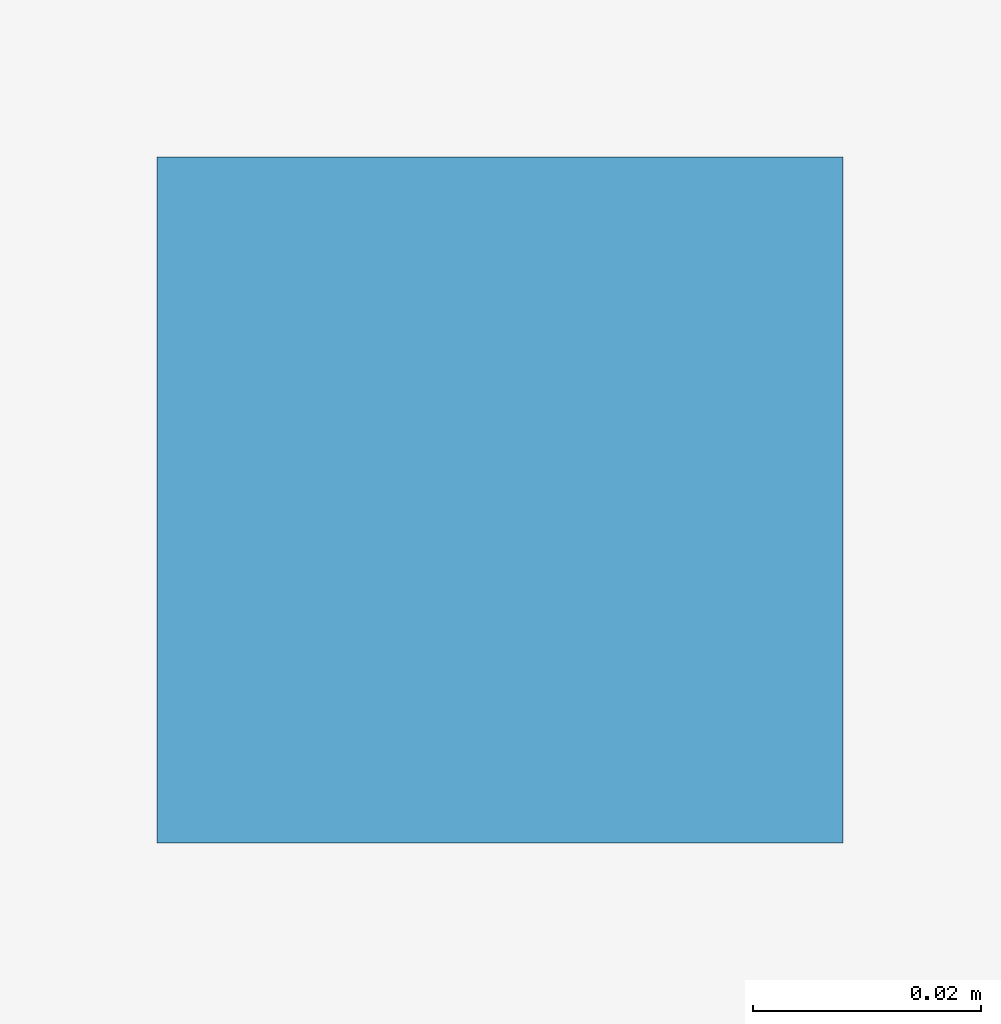
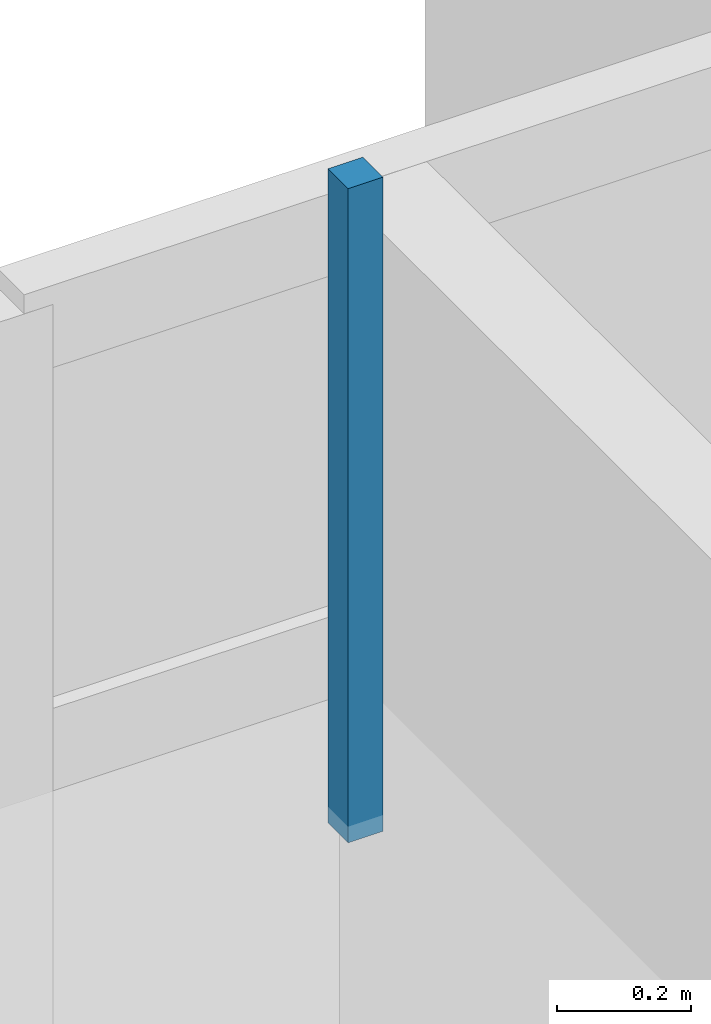
# One storey, part 88 of 107: 1 discrete accessory.
"""IFC4 building model written with IfcOpenShell, lengths in metres."""

from ifc_helpers import new_model, si_unit, direction, frame, origin, place, context, subcontext, project, spatial, polyline, outline, extrude, material, type_object, element, save


model = new_model("IFC4")

# Units and contexts
model_context = context("Model", 3, precision=1e-05, world=origin(), true_north=direction((0.0, 1.0)))
body_context = subcontext(model_context, "Body", "Model", "MODEL_VIEW")
ifc_project = project(units=[si_unit("LENGTHUNIT", "METRE"), si_unit("AREAUNIT", "SQUARE_METRE"), si_unit("VOLUMEUNIT", "CUBIC_METRE"), si_unit("PLANEANGLEUNIT", "RADIAN"), si_unit("MASSUNIT", "GRAM", prefix="KILO")], contexts=[model_context])

# Site, building, storey
site_placement = place(None, origin())
site = spatial("IfcSite", under=ifc_project, at=site_placement, CompositionType="ELEMENT")
building_placement = place(site_placement, origin())
building = spatial("IfcBuilding", under=site, at=building_placement, Name="Dunescarp Central Library", CompositionType="ELEMENT")
storey_placement = place(building_placement, frame((0.0, 0.0, 5.10009765625)))
storey = spatial("IfcBuildingStorey", under=building, at=storey_placement, Name="L01", CompositionType="ELEMENT", Elevation=5.10009765625)

# Discrete accessory
ifc_material = material(Name="Stainless steel Grade 316L", Category="steel")
discrete_accessory_type = type_object("IfcDiscreteAccessoryType", Name="ARC-ACC-BRK", PredefinedType="BRACKET", material=ifc_material)
discrete_accessory_placement = place(storey_placement, frame((0.0, 0.0, 3.059814453125)))
element("IfcDiscreteAccessory", 1, at=discrete_accessory_placement, inside=storey, type_object=discrete_accessory_type, Name="L01 ceiling hanger CLG-L01-148-H2", PredefinedType="BRACKET", context=body_context, shape_type="SweptSolid", body=[
    extrude(outline(polyline([(145.919921875, 44.3798828125), (145.97998046875, 44.3798828125), (145.97998046875, 44.43994140625), (145.919921875, 44.43994140625), (145.919921875, 44.3798828125)])), origin(), (0.0, 0.0, 1.0), 1.190185546875),
])

save(model, "model.ifc")
